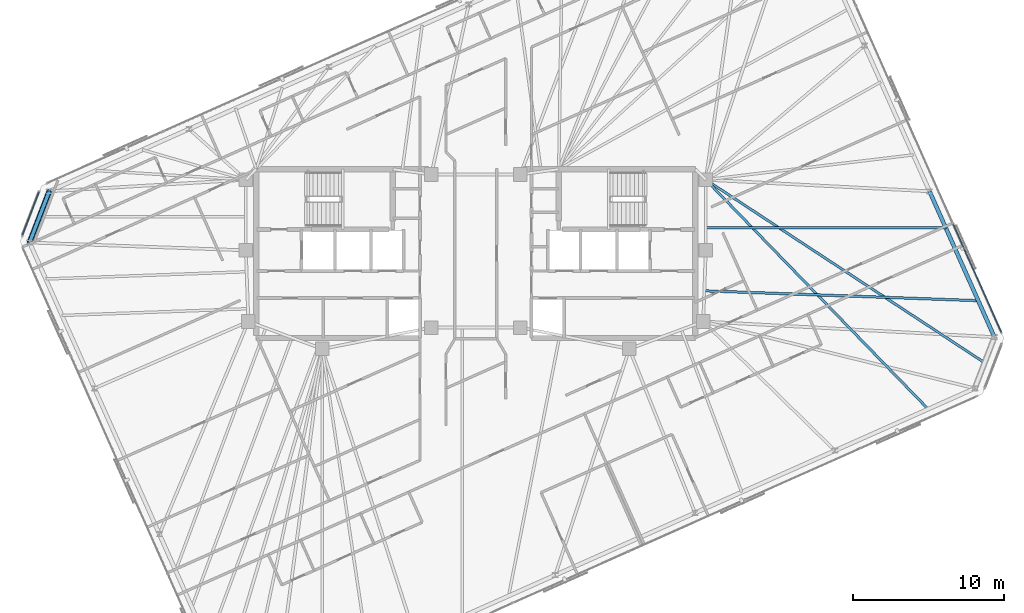
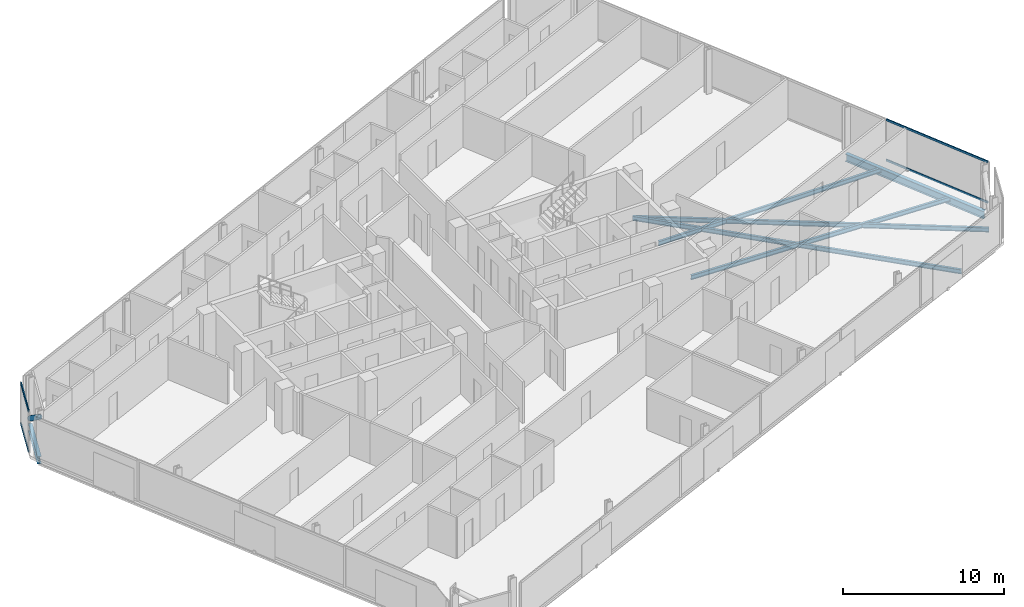
# One storey, part 8 of 19: 6 beams, 5 members, 2 elements without a shape of their own.
"""IFC4 building model written with IfcOpenShell, lengths in metres."""

from ifc_helpers import new_model, si_unit, direction, frame, origin, origin_2d, place, context, subcontext, project, spatial, rectangle, hollow_circle, i_section, extrude, material, material_profile, profile_set, type_object, element, aggregate, save


model = new_model("IFC4")

# Units and contexts
model_context = context("Model", 3, precision=1e-05, world=origin(), true_north=direction((0.0, 1.0)))
body_context = subcontext(model_context, "Body", "Model", "MODEL_VIEW")
ifc_project = project(units=[si_unit("LENGTHUNIT", "METRE"), si_unit("AREAUNIT", "SQUARE_METRE"), si_unit("VOLUMEUNIT", "CUBIC_METRE"), si_unit("PLANEANGLEUNIT", "RADIAN"), si_unit("MASSUNIT", "GRAM", prefix="KILO")], contexts=[model_context])

# Site, building, storey
site_placement = place(None, origin())
site = spatial("IfcSite", under=ifc_project, at=site_placement, CompositionType="ELEMENT")
building_placement = place(site_placement, origin())
building = spatial("IfcBuilding", under=site, at=building_placement, Name="Menara Jurai Vektor", CompositionType="ELEMENT")
storey_placement = place(building_placement, frame((0.0, 0.0, 265.550048828125)))
storey = spatial("IfcBuildingStorey", under=building, at=storey_placement, Name="L71", CompositionType="ELEMENT", Elevation=265.550048828125)

# Curtain wall, members
ifc_material_1 = material(Name="Anodised Pale Aluminium & Low-E Double Glazing", Category="aluminium")
curtain_wall_type = type_object("IfcCurtainWallType", Name="CW-BLK5", PredefinedType="NOTDEFINED", material=ifc_material_1)
curtain_wall_1_placement = place(storey_placement, origin())
curtain_wall_1 = element("IfcCurtainWall", 1, at=curtain_wall_1_placement, inside=storey, type_object=curtain_wall_type, Name="Unitised Curtain Wall L71 F03", PredefinedType="NOTDEFINED")
ifc_material_2 = material(Name="Anodised Pale Aluminium Transom", Category="aluminium")
ifc_material_profile_1 = material_profile(ifc_material_2, rectangle(XDim=0.074951171875, YDim=0.155029296875, at=origin_2d()), Name="ALU TRN 75x155")
ifc_profile_set_1 = profile_set([ifc_material_profile_1], Name="Anodised Pale Aluminium Transom")
member_type_1 = type_object("IfcMemberType", Name="CW-BLK5-TRN", PredefinedType="USERDEFINED", material=ifc_profile_set_1)
member_1_placement = place(storey_placement, frame((34.840087890625, -5.19189453125, 0.037353515625), z_axis=(-0.406739711224, 0.913544091609, 0.0), x_axis=(-0.913544091609, -0.406739711224, 0.0)))
member_1 = element("IfcMember", 2, at=member_1_placement, type_object=member_type_1, Name="CW-05 transom 1.1", ObjectType="TRANSOM", PredefinedType="USERDEFINED", context=body_context, shape_type="SweptSolid", body=[
    extrude(rectangle(XDim=0.074951171875, YDim=0.155029296875, at=origin_2d()), origin(), (0.0, 0.0, 1.0), 7.797607421875),
])
member_2_placement = place(storey_placement, frame((34.840087890625, -5.19189453125, 3.08740234375), z_axis=(-0.406739711224, 0.913544091609, 0.0), x_axis=(-0.913544091609, -0.406739711224, 0.0)))
member_2 = element("IfcMember", 3, at=member_2_placement, type_object=member_type_1, Name="CW-05 transom 1.2", ObjectType="TRANSOM", PredefinedType="USERDEFINED", context=body_context, shape_type="SweptSolid", body=[
    extrude(rectangle(XDim=0.074951171875, YDim=0.155029296875, at=origin_2d()), origin(), (0.0, 0.0, 1.0), 7.797607421875),
])
aggregate(curtain_wall_1, [member_1, member_2])

curtain_wall_2_placement = place(storey_placement, origin())
curtain_wall_2 = element("IfcCurtainWall", 4, at=curtain_wall_2_placement, inside=storey, type_object=curtain_wall_type, Name="Unitised Curtain Wall L71 F06", PredefinedType="NOTDEFINED")
member_3_placement = place(storey_placement, frame((-28.96923828125, 4.079345703125, 0.037353515625), z_axis=(-0.358324523823, -0.933597094911, 0.0), x_axis=(0.933597094911, -0.358324523823, 0.0)))
member_3 = element("IfcMember", 5, at=member_3_placement, type_object=member_type_1, Name="CW-05 transom 1.1", ObjectType="TRANSOM", PredefinedType="USERDEFINED", context=body_context, shape_type="SweptSolid", body=[
    extrude(rectangle(XDim=0.074951171875, YDim=0.155029296875, at=origin_2d()), origin(), (0.0, 0.0, 1.0), 3.049560546875),
])
member_4_placement = place(storey_placement, frame((-28.96923828125, 4.079345703125, 3.08740234375), z_axis=(-0.358324523823, -0.933597094911, 0.0), x_axis=(0.933597094911, -0.358324523823, 0.0)))
member_4 = element("IfcMember", 6, at=member_4_placement, type_object=member_type_1, Name="CW-05 transom 1.2", ObjectType="TRANSOM", PredefinedType="USERDEFINED", context=body_context, shape_type="SweptSolid", body=[
    extrude(rectangle(XDim=0.074951171875, YDim=0.155029296875, at=origin_2d()), origin(), (0.0, 0.0, 1.0), 3.049560546875),
])
aggregate(curtain_wall_2, [member_3, member_4])

# Member
ifc_material_3 = material(Name="Steel S460", Category="steel")
ifc_material_profile_2 = material_profile(ifc_material_3, hollow_circle(Radius=0.177734375, WallThickness=0.01611328125, at=origin_2d()), Name="CHS 355.6x16")
ifc_profile_set_2 = profile_set([ifc_material_profile_2], Name="Steel S460")
member_type_2 = type_object("IfcMemberType", Name="STR-BR-356", PredefinedType="BRACE", material=ifc_profile_set_2)
member_5_placement = place(storey_placement, frame((-28.2880859375, 4.1328125, 0.14990234375), z_axis=(-0.2906257681, -0.757042028889, 0.585170085882), x_axis=(0.933570293083, -0.358394346877, 0.0)))
element("IfcMember", 7, at=member_5_placement, inside=storey, type_object=member_type_2, Name="Exoskeleton Corner Brace L71-3", PredefinedType="BRACE", context=body_context, shape_type="SweptSolid", body=[
    extrude(hollow_circle(Radius=0.177734375, WallThickness=0.01611328125, at=origin_2d()), origin(), (0.0, 0.0, 1.0), 4.48583984375),
])

# Beams
ifc_material_4 = material(Name="Steel S355", Category="steel")
ifc_material_profile_3 = material_profile(ifc_material_4, i_section(OverallWidth=0.1650390625, OverallDepth=0.330078125, WebThickness=0.009033203125, FlangeThickness=0.013916015625, at=origin_2d()), Name="PG 330x165x46")
ifc_profile_set_3 = profile_set([ifc_material_profile_3], Name="Steel S355")
beam_type_1 = type_object("IfcBeamType", Name="STR-JS-330", PredefinedType="JOIST", material=ifc_profile_set_3)
beam_1_placement = place(storey_placement, frame((29.996826171875, -10.30908203125, -0.39013671875), z_axis=(-0.696114697983, 0.717930586653, 0.0), x_axis=(-0.717930586653, -0.696114697983, 0.0)))
element("IfcBeam", 8, at=beam_1_placement, inside=storey, type_object=beam_type_1, Name="Radial Secondary Floor Joist L71-JS06", PredefinedType="JOIST", context=body_context, shape_type="SweptSolid", body=[
    extrude(i_section(OverallWidth=0.1650390625, OverallDepth=0.330078125, WebThickness=0.009033203125, FlangeThickness=0.013916015625, at=origin_2d()), origin(), (0.0, 0.0, 1.0), 21.1845703125),
])
beam_2_placement = place(storey_placement, frame((33.739990234375, -7.23486328125, -0.39013671875), z_axis=(-0.836033194478, 0.54867886576, 0.0), x_axis=(-0.54867886576, -0.836033194478, 0.0)))
element("IfcBeam", 9, at=beam_2_placement, inside=storey, type_object=beam_type_1, Name="Radial Secondary Floor Joist L71-JS07", PredefinedType="JOIST", context=body_context, shape_type="SweptSolid", body=[
    extrude(i_section(OverallWidth=0.1650390625, OverallDepth=0.330078125, WebThickness=0.009033203125, FlangeThickness=0.013916015625, at=origin_2d()), origin(), (0.0, 0.0, 1.0), 22.116455078125),
])
beam_3_placement = place(storey_placement, frame((33.315185546875, -3.119384765625, -0.39013671875), z_axis=(-0.999351699571, 0.036002507761, 0.0), x_axis=(-0.036002507761, -0.999351699571, 0.0)))
element("IfcBeam", 10, at=beam_3_placement, inside=storey, type_object=beam_type_1, Name="Radial Secondary Floor Joist L71-JS08", PredefinedType="JOIST", context=body_context, shape_type="SweptSolid", body=[
    extrude(i_section(OverallWidth=0.1650390625, OverallDepth=0.330078125, WebThickness=0.009033203125, FlangeThickness=0.013916015625, at=origin_2d()), origin(), (0.0, 0.0, 1.0), 18.173583984375),
])
beam_4_placement = place(storey_placement, frame((31.16259765625, 1.7158203125, -0.39013671875), z_axis=(-1.0, 0.0, 0.0), x_axis=(0.0, -1.0, 0.0)))
element("IfcBeam", 11, at=beam_4_placement, inside=storey, type_object=beam_type_1, Name="Radial Secondary Floor Joist L71-JS09", PredefinedType="JOIST", context=body_context, shape_type="SweptSolid", body=[
    extrude(i_section(OverallWidth=0.1650390625, OverallDepth=0.330078125, WebThickness=0.009033203125, FlangeThickness=0.013916015625, at=origin_2d()), origin(), (0.0, 0.0, 1.0), 15.91259765625),
])
ifc_material_profile_4 = material_profile(ifc_material_4, i_section(OverallWidth=0.260009765625, OverallDepth=0.570068359375, WebThickness=0.013916015625, FlangeThickness=0.02392578125, at=origin_2d()), Name="PG 570x260x145")
ifc_profile_set_4 = profile_set([ifc_material_profile_4], Name="Steel S355")
beam_type_2 = type_object("IfcBeamType", Name="STR-SP-570", PredefinedType="SPANDREL", material=ifc_profile_set_4)
beam_5_placement = place(storey_placement, frame((34.3916015625, -5.536865234375, -0.510009765625), z_axis=(-0.40673543049, 0.91354599752, 0.0), x_axis=(-0.91354599752, -0.40673543049, 0.0)))
element("IfcBeam", 12, at=beam_5_placement, inside=storey, type_object=beam_type_2, Name="Exoskeleton Spandrel Beam L71-07", PredefinedType="SPANDREL", context=body_context, shape_type="SweptSolid", body=[
    extrude(i_section(OverallWidth=0.260009765625, OverallDepth=0.570068359375, WebThickness=0.013916015625, FlangeThickness=0.02392578125, at=origin_2d()), origin(), (0.0, 0.0, 1.0), 10.585205078125),
])
beam_6_placement = place(storey_placement, frame((-28.2880859375, 4.1328125, -0.510009765625), z_axis=(-0.358394346877, -0.933570293083, 0.0), x_axis=(0.933570293083, -0.358394346877, 0.0)))
element("IfcBeam", 13, at=beam_6_placement, inside=storey, type_object=beam_type_2, Name="Exoskeleton Spandrel Beam L71-16", PredefinedType="SPANDREL", context=body_context, shape_type="SweptSolid", body=[
    extrude(i_section(OverallWidth=0.260009765625, OverallDepth=0.570068359375, WebThickness=0.013916015625, FlangeThickness=0.02392578125, at=origin_2d()), origin(), (0.0, 0.0, 1.0), 3.6376953125),
])

save(model, "model.ifc")
